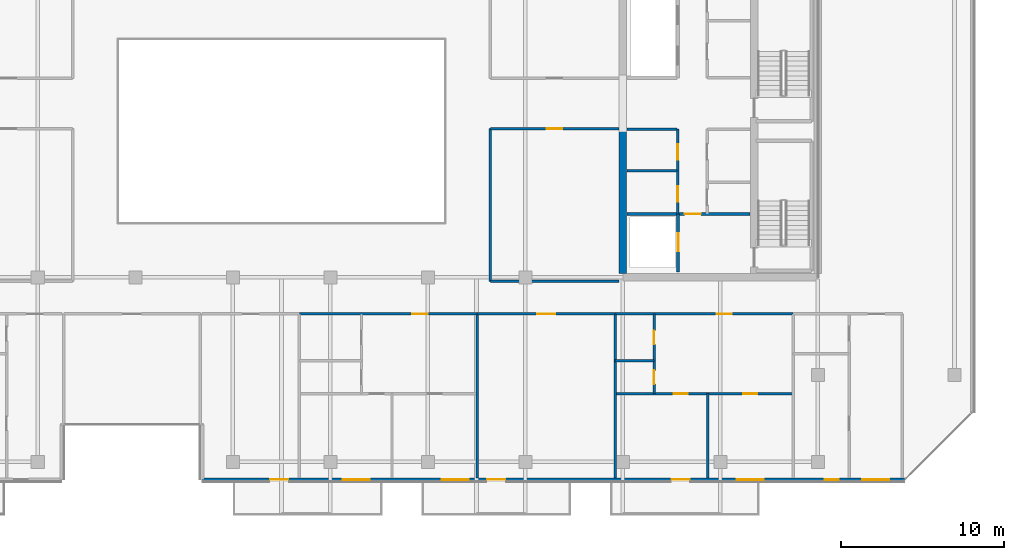
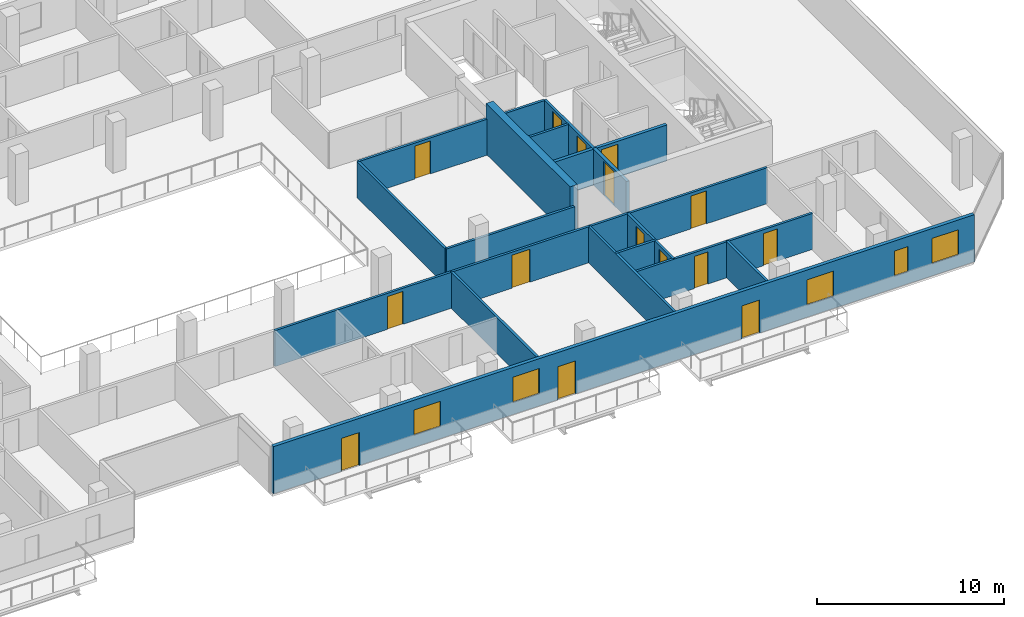
# One storey, part 20 of 28: 19 walls, 15 doors, 5 windows, 20 openings.
"""IFC4 building model written with IfcOpenShell, lengths in metres."""

from ifc_helpers import new_model, si_unit, direction, frame, frame_2d, origin, place, context, subcontext, project, spatial, rectangle, extrude, material, layer, layer_set, type_object, element, fill, save


model = new_model("IFC4")

# Units and contexts
model_context = context("Model", 3, precision=1e-05, world=origin(), true_north=direction((0.0, 1.0)))
body_context = subcontext(model_context, "Body", "Model", "MODEL_VIEW")
ifc_project = project(units=[si_unit("LENGTHUNIT", "METRE"), si_unit("AREAUNIT", "SQUARE_METRE"), si_unit("VOLUMEUNIT", "CUBIC_METRE"), si_unit("PLANEANGLEUNIT", "RADIAN"), si_unit("MASSUNIT", "GRAM", prefix="KILO")], contexts=[model_context])

# Site, building, storey
site_placement = place(None, origin())
site = spatial("IfcSite", under=ifc_project, at=site_placement, CompositionType="ELEMENT")
building_placement = place(site_placement, origin())
building = spatial("IfcBuilding", under=site, at=building_placement, Name="Tanjung Sevakor Pilgrim Tower", CompositionType="ELEMENT")
storey_placement = place(building_placement, frame((0.0, 0.0, 185.1298828125)))
storey = spatial("IfcBuildingStorey", under=building, at=storey_placement, Name="L51", CompositionType="ELEMENT", Elevation=185.1298828125)

# Walls
ifc_material_1 = material(Name="Concrete C60/75", Category="concrete")
ifc_layer_1 = layer(ifc_material_1, 0.449951171875)
ifc_layer_set_1 = layer_set([ifc_layer_1], Name="WALL-CW-450")
wall_type_1 = type_object("IfcWallType", Name="WALL-CW-450", PredefinedType="SHEAR", material=ifc_layer_set_1)
wall_1_placement = place(storey_placement, frame((78.0, 24.824951171875, 0.0), z_axis=(0.0, 0.0, 1.0), x_axis=(0.0, 1.0, 0.0)))
element("IfcWall", 1, at=wall_1_placement, inside=storey, type_object=wall_type_1, Name="L51 E Core Inner Shear Wall South", PredefinedType="SHEAR", context=body_context, shape_type="SweptSolid", body=[
    extrude(rectangle(XDim=8.97509765625, YDim=0.449951171875, at=frame_2d((4.487548828125, 0.0))), origin(), (0.0, 0.0, 1.0), 3.300048828125),
])
ifc_material_2 = material(Name="Concrete C40/50", Category="concrete")
ifc_layer_2 = layer(ifc_material_2, 0.14990234375)
ifc_layer_set_2 = layer_set([ifc_layer_2], Name="WT-COMP-150")
wall_type_2 = type_object("IfcWallType", Name="WT-COMP-150", PredefinedType="SOLIDWALL", material=ifc_layer_set_2)
for number, where, z_axis, x_axis, name in (
    (2, (78.2451171875, 31.14990234375, 0.0), (0.0, 0.0, 1.0), (1.0, 0.0, 0.0), "L51 Partition IW-L51-019"),
    (3, (78.2451171875, 33.719970703125, 0.0), (0.0, 0.0, 1.0), (1.0, 0.0, 0.0), "L51 Partition IW-L51-020"),
):
    element("IfcWall", number, at=place(storey_placement, frame(where, z_axis=z_axis, x_axis=x_axis)), inside=storey, type_object=wall_type_2, Name=name, PredefinedType="SOLIDWALL", context=body_context, shape_type="SweptSolid", body=[
        extrude(rectangle(XDim=3.074951171875, YDim=0.14990234375, at=frame_2d((1.53759765625, 0.0))), origin(), (0.0, 0.0, 1.0), 2.35009765625),
    ])

# Wall, openings, doors
wall_2_placement = place(storey_placement, frame((81.3798828125, 28.5, 0.0), z_axis=(0.0, 0.0, 1.0), x_axis=(0.0, 1.0, 0.0)))
wall_2 = element("IfcWall", 4, at=wall_2_placement, inside=storey, type_object=wall_type_2, Name="L51 Partition IW-L51-021", PredefinedType="SOLIDWALL", context=body_context, shape_type="SweptSolid", body=[
    extrude(rectangle(XDim=5.219970703125, YDim=0.14990234375, at=frame_2d((2.60986328125, 0.0))), origin(), (0.0, 0.0, 1.0), 2.35009765625),
])
opening_1_placement = place(wall_2_placement, frame((0.75, 0.0, 0.0)))
opening_1 = element("IfcOpeningElement", 5, at=opening_1_placement, cuts=wall_2, Name="Opening ID-FD2", PredefinedType="OPENING", context=body_context, shape_type="SweptSolid", body=[
    extrude(rectangle(XDim=0.949951171875, YDim=2.14990234375, at=frame_2d((0.47509765625, 1.074951171875))), frame((0.0, 0.0849609375, 0.0), z_axis=(0.0, -1.0, 0.0), x_axis=(1.0, 0.0, 0.0)), (0.0, 0.0, 1.0), 0.169921875),
])
opening_2_placement = place(wall_2_placement, frame((3.35009765625, 0.0, 0.0)))
opening_2 = element("IfcOpeningElement", 6, at=opening_2_placement, cuts=wall_2, Name="Opening ID-FD2", PredefinedType="OPENING", context=body_context, shape_type="SweptSolid", body=[
    extrude(rectangle(XDim=0.949951171875, YDim=2.14990234375, at=frame_2d((0.47509765625, 1.074951171875))), frame((0.0, 0.0849609375, 0.0), z_axis=(0.0, -1.0, 0.0), x_axis=(1.0, 0.0, 0.0)), (0.0, 0.0, 1.0), 0.169921875),
])
ifc_material_3 = material(Name="Fire-Rated Timber", Category="wood")
door_type_1 = type_object("IfcDoorType", Name="DT-FIRE-950", OperationType="NOTDEFINED", PredefinedType="DOOR", material=ifc_material_3)
door_1_placement = place(opening_1_placement, origin())
door_1 = element("IfcDoor", 7, at=door_1_placement, inside=storey, type_object=door_type_1, Name="L51 Accessible WC Door", OperationType="SINGLE_SWING_RIGHT", OverallHeight=2.14990234375, OverallWidth=0.949951171875, PredefinedType="DOOR", context=body_context, shape_type="SweptSolid", body=[
    extrude(rectangle(XDim=0.949951171875, YDim=2.14990234375, at=frame_2d((0.47509765625, 1.074951171875))), frame((0.0, 0.02490234375, 0.0), z_axis=(0.0, -1.0, 0.0), x_axis=(1.0, 0.0, 0.0)), (0.0, 0.0, 1.0), 0.050048828125),
])
fill(opening_1, door_1)
door_2_placement = place(opening_2_placement, origin())
door_2 = element("IfcDoor", 8, at=door_2_placement, inside=storey, type_object=door_type_1, Name="L51 Core Service Door", OperationType="SINGLE_SWING_LEFT", OverallHeight=2.14990234375, OverallWidth=0.949951171875, PredefinedType="DOOR", context=body_context, shape_type="SweptSolid", body=[
    extrude(rectangle(XDim=0.949951171875, YDim=2.14990234375, at=frame_2d((0.47509765625, 1.074951171875))), frame((0.0, 0.02490234375, 0.0), z_axis=(0.0, -1.0, 0.0), x_axis=(1.0, 0.0, 0.0)), (0.0, 0.0, 1.0), 0.050048828125),
])
fill(opening_2, door_2)

# Wall
wall_3_placement = place(storey_placement, frame((69.85009765625, 24.35009765625, 0.0), z_axis=(0.0, 0.0, 1.0), x_axis=(1.0, 0.0, 0.0)))
element("IfcWall", 9, at=wall_3_placement, inside=storey, type_object=wall_type_2, Name="L51 Partition IW-L51-033", PredefinedType="SOLIDWALL", context=body_context, shape_type="SweptSolid", body=[
    extrude(rectangle(XDim=7.90478515625, YDim=0.14990234375, at=frame_2d((3.952392578125, 0.0))), origin(), (0.0, 0.0, 1.0), 2.35009765625),
])

# Wall, opening, door
wall_4_placement = place(storey_placement, frame((69.85009765625, 33.75, 0.0), z_axis=(0.0, 0.0, 1.0), x_axis=(1.0, 0.0, 0.0)))
wall_4 = element("IfcWall", 10, at=wall_4_placement, inside=storey, type_object=wall_type_2, Name="L51 Partition IW-L51-034", PredefinedType="SOLIDWALL", context=body_context, shape_type="SweptSolid", body=[
    extrude(rectangle(XDim=7.90478515625, YDim=0.14990234375, at=frame_2d((3.952392578125, 0.0))), origin(), (0.0, 0.0, 1.0), 2.35009765625),
])
opening_3_placement = place(wall_4_placement, frame((3.4775390625, 0.0, 0.0)))
opening_3 = element("IfcOpeningElement", 11, at=opening_3_placement, cuts=wall_4, Name="Opening ID-RM1", PredefinedType="OPENING", context=body_context, shape_type="SweptSolid", body=[
    extrude(rectangle(XDim=0.949951171875, YDim=2.14990234375, at=frame_2d((0.47509765625, 1.074951171875))), frame((0.0, 0.0849609375, 0.0), z_axis=(0.0, -1.0, 0.0), x_axis=(1.0, 0.0, 0.0)), (0.0, 0.0, 1.0), 0.169921875),
])
ifc_material_4 = material(Name="Hardwood Timber", Category="wood")
door_type_2 = type_object("IfcDoorType", Name="DT-INT-950", OperationType="NOTDEFINED", PredefinedType="DOOR", material=ifc_material_4)
door_3_placement = place(opening_3_placement, origin())
door_3 = element("IfcDoor", 12, at=door_3_placement, inside=storey, type_object=door_type_2, Name="L51 East Inboard South Door", OperationType="SINGLE_SWING_RIGHT", OverallHeight=2.14990234375, OverallWidth=0.949951171875, PredefinedType="DOOR", context=body_context, shape_type="SweptSolid", body=[
    extrude(rectangle(XDim=0.949951171875, YDim=2.14990234375, at=frame_2d((0.47509765625, 1.074951171875))), frame((0.0, 0.02490234375, 0.0), z_axis=(0.0, -1.0, 0.0), x_axis=(1.0, 0.0, 0.0)), (0.0, 0.0, 1.0), 0.050048828125),
])
fill(opening_3, door_3)

# Walls
wall_5_placement = place(storey_placement, frame((69.85009765625, 24.35009765625, 0.0), z_axis=(0.0, 0.0, 1.0), x_axis=(0.0, 1.0, 0.0)))
element("IfcWall", 13, at=wall_5_placement, inside=storey, type_object=wall_type_2, Name="L51 Partition IW-L51-035", PredefinedType="SOLIDWALL", context=body_context, shape_type="SweptSolid", body=[
    extrude(rectangle(XDim=9.39990234375, YDim=0.14990234375, at=frame_2d((4.699951171875, 0.0))), origin(), (0.0, 0.0, 1.0), 2.35009765625),
])
wall_6_placement = place(storey_placement, frame((69.05322265625, 12.27001953125, 0.0), z_axis=(0.0, 0.0, 1.0), x_axis=(0.0, 1.0, 0.0)))
element("IfcWall", 14, at=wall_6_placement, inside=storey, type_object=wall_type_2, Name="L51 Partition IW-L51-060", PredefinedType="SOLIDWALL", context=body_context, shape_type="SweptSolid", body=[
    extrude(rectangle(XDim=10.080078125, YDim=0.14990234375, at=frame_2d((5.0400390625, 0.0))), origin(), (0.0, 0.0, 1.0), 2.35009765625),
])

# Wall, opening, door
wall_7_placement = place(storey_placement, frame((58.096435546875, 22.35009765625, 0.0), z_axis=(0.0, 0.0, 1.0), x_axis=(1.0, 0.0, 0.0)))
wall_7 = element("IfcWall", 15, at=wall_7_placement, inside=storey, type_object=wall_type_2, Name="L51 Partition IW-L51-065", PredefinedType="SOLIDWALL", context=body_context, shape_type="SweptSolid", body=[
    extrude(rectangle(XDim=10.956787109375, YDim=0.14990234375, at=frame_2d((5.478515625, 0.0))), origin(), (0.0, 0.0, 1.0), 2.35009765625),
])
opening_4_placement = place(wall_7_placement, frame((6.955078125, 0.0, 0.0)))
opening_4 = element("IfcOpeningElement", 16, at=opening_4_placement, cuts=wall_7, Name="Opening ID-FD2", PredefinedType="OPENING", context=body_context, shape_type="SweptSolid", body=[
    extrude(rectangle(XDim=0.949951171875, YDim=2.14990234375, at=frame_2d((0.47509765625, 1.074951171875))), frame((0.0, 0.0849609375, 0.0), z_axis=(0.0, -1.0, 0.0), x_axis=(1.0, 0.0, 0.0)), (0.0, 0.0, 1.0), 0.169921875),
])
door_4_placement = place(opening_4_placement, origin())
door_4 = element("IfcDoor", 17, at=door_4_placement, inside=storey, type_object=door_type_1, Name="Suite Entrance", OperationType="SINGLE_SWING_RIGHT", OverallHeight=2.14990234375, OverallWidth=0.949951171875, PredefinedType="DOOR", context=body_context, shape_type="SweptSolid", body=[
    extrude(rectangle(XDim=0.949951171875, YDim=2.14990234375, at=frame_2d((0.47509765625, 1.074951171875))), frame((0.0, 0.02490234375, 0.0), z_axis=(0.0, -1.0, 0.0), x_axis=(1.0, 0.0, 0.0)), (0.0, 0.0, 1.0), 0.050048828125),
])
fill(opening_4, door_4)

# Wall
wall_8_placement = place(storey_placement, frame((77.519775390625, 12.27001953125, 0.0), z_axis=(0.0, 0.0, 1.0), x_axis=(0.0, 1.0, 0.0)))
element("IfcWall", 18, at=wall_8_placement, inside=storey, type_object=wall_type_2, Name="L51 Partition IW-L51-066", PredefinedType="SOLIDWALL", context=body_context, shape_type="SweptSolid", body=[
    extrude(rectangle(XDim=10.080078125, YDim=0.14990234375, at=frame_2d((5.0400390625, 0.0))), origin(), (0.0, 0.0, 1.0), 2.35009765625),
])

# Wall, opening, door
wall_9_placement = place(storey_placement, frame((69.05322265625, 22.35009765625, 0.0), z_axis=(0.0, 0.0, 1.0), x_axis=(1.0, 0.0, 0.0)))
wall_9 = element("IfcWall", 19, at=wall_9_placement, inside=storey, type_object=wall_type_2, Name="L51 Partition IW-L51-067", PredefinedType="SOLIDWALL", context=body_context, shape_type="SweptSolid", body=[
    extrude(rectangle(XDim=8.466552734375, YDim=0.14990234375, at=frame_2d((4.2333984375, 0.0))), origin(), (0.0, 0.0, 1.0), 2.35009765625),
])
opening_5_placement = place(wall_9_placement, frame((3.683349609375, 0.0, 0.0)))
opening_5 = element("IfcOpeningElement", 20, at=opening_5_placement, cuts=wall_9, Name="Opening ID-FD0", PredefinedType="OPENING", context=body_context, shape_type="SweptSolid", body=[
    extrude(rectangle(XDim=1.10009765625, YDim=2.14990234375, at=frame_2d((0.550048828125, 1.074951171875))), frame((0.0, 0.0849609375, 0.0), z_axis=(0.0, -1.0, 0.0), x_axis=(1.0, 0.0, 0.0)), (0.0, 0.0, 1.0), 0.169921875),
])
ifc_material_5 = material(Name="Fire-Rated Steel S355J2", Category="steel")
door_type_3 = type_object("IfcDoorType", Name="DT-FIRE-1100", OperationType="NOTDEFINED", PredefinedType="DOOR", material=ifc_material_5)
door_5_placement = place(opening_5_placement, origin())
door_5 = element("IfcDoor", 21, at=door_5_placement, inside=storey, type_object=door_type_3, Name="Communal Lounge Door", OperationType="SINGLE_SWING_LEFT", OverallHeight=2.14990234375, OverallWidth=1.10009765625, PredefinedType="DOOR", context=body_context, shape_type="SweptSolid", body=[
    extrude(rectangle(XDim=1.10009765625, YDim=2.14990234375, at=frame_2d((0.550048828125, 1.074951171875))), frame((0.0, 0.02490234375, 0.0), z_axis=(0.0, -1.0, 0.0), x_axis=(1.0, 0.0, 0.0)), (0.0, 0.0, 1.0), 0.050048828125),
])
fill(opening_5, door_5)

wall_10_placement = place(storey_placement, frame((77.519775390625, 22.35009765625, 0.0), z_axis=(0.0, 0.0, 1.0), x_axis=(1.0, 0.0, 0.0)))
wall_10 = element("IfcWall", 22, at=wall_10_placement, inside=storey, type_object=wall_type_2, Name="L51 Partition IW-L51-073", PredefinedType="SOLIDWALL", context=body_context, shape_type="SweptSolid", body=[
    extrude(rectangle(XDim=10.956787109375, YDim=0.14990234375, at=frame_2d((5.478515625, 0.0))), origin(), (0.0, 0.0, 1.0), 2.35009765625),
])
opening_6_placement = place(wall_10_placement, frame((6.243408203125, 0.0, 0.0)))
opening_6 = element("IfcOpeningElement", 23, at=opening_6_placement, cuts=wall_10, Name="Opening ID-FD2", PredefinedType="OPENING", context=body_context, shape_type="SweptSolid", body=[
    extrude(rectangle(XDim=0.949951171875, YDim=2.14990234375, at=frame_2d((0.47509765625, 1.074951171875))), frame((0.0, 0.0849609375, 0.0), z_axis=(0.0, -1.0, 0.0), x_axis=(1.0, 0.0, 0.0)), (0.0, 0.0, 1.0), 0.169921875),
])
door_6_placement = place(opening_6_placement, origin())
door_6 = element("IfcDoor", 24, at=door_6_placement, inside=storey, type_object=door_type_1, Name="Suite Entrance", OperationType="SINGLE_SWING_RIGHT", OverallHeight=2.14990234375, OverallWidth=0.949951171875, PredefinedType="DOOR", context=body_context, shape_type="SweptSolid", body=[
    extrude(rectangle(XDim=0.949951171875, YDim=2.14990234375, at=frame_2d((0.47509765625, 1.074951171875))), frame((0.0, 0.02490234375, 0.0), z_axis=(0.0, -1.0, 0.0), x_axis=(1.0, 0.0, 0.0)), (0.0, 0.0, 1.0), 0.050048828125),
])
fill(opening_6, door_6)

# Wall, openings, doors, windows
ifc_material_6 = material(Name="Precast concrete C45/55", Category="concrete")
ifc_layer_3 = layer(ifc_material_6, 0.219970703125)
ifc_layer_set_3 = layer_set([ifc_layer_3], Name="WT-EW-STN4")
wall_type_3 = type_object("IfcWallType", Name="WT-EW-STN4", PredefinedType="SOLIDWALL", material=ifc_layer_set_3)
wall_11_placement = place(storey_placement, frame((52.110107421875, 12.159912109375, 0.0), z_axis=(0.0, 0.0, 1.0), x_axis=(1.0, 0.0, 0.0)))
wall_11 = element("IfcWall", 25, at=wall_11_placement, inside=storey, type_object=wall_type_3, Name="L51 MAIN Exterior Wall 5", PredefinedType="SOLIDWALL", context=body_context, shape_type="SweptSolid", body=[
    extrude(rectangle(XDim=43.244384765625, YDim=0.219970703125, at=frame_2d((21.6220703125, 0.0))), origin(), (0.0, 0.0, 1.0), 3.080078125),
])
opening_7_placement = place(wall_11_placement, frame((4.18994140625, 0.0, 0.0)))
opening_7 = element("IfcOpeningElement", 26, at=opening_7_placement, cuts=wall_11, Name="Opening ED-BAL-1100", PredefinedType="OPENING", context=body_context, shape_type="SweptSolid", body=[
    extrude(rectangle(XDim=1.10009765625, YDim=2.14990234375, at=frame_2d((0.550048828125, 1.074951171875))), frame((0.0, 0.119873046875, 0.0), z_axis=(0.0, -1.0, 0.0), x_axis=(1.0, 0.0, 0.0)), (0.0, 0.0, 1.0), 0.239990234375),
])
opening_8_placement = place(wall_11_placement, frame((17.5400390625, 0.0, 0.0)))
opening_8 = element("IfcOpeningElement", 27, at=opening_8_placement, cuts=wall_11, Name="Opening ED-BAL-1100", PredefinedType="OPENING", context=body_context, shape_type="SweptSolid", body=[
    extrude(rectangle(XDim=1.10009765625, YDim=2.14990234375, at=frame_2d((0.550048828125, 1.074951171875))), frame((0.0, 0.119873046875, 0.0), z_axis=(0.0, -1.0, 0.0), x_axis=(1.0, 0.0, 0.0)), (0.0, 0.0, 1.0), 0.239990234375),
])
opening_9_placement = place(wall_11_placement, frame((28.889892578125, 0.0, 0.0)))
opening_9 = element("IfcOpeningElement", 28, at=opening_9_placement, cuts=wall_11, Name="Opening ED-BAL-1100", PredefinedType="OPENING", context=body_context, shape_type="SweptSolid", body=[
    extrude(rectangle(XDim=1.10009765625, YDim=2.14990234375, at=frame_2d((0.550048828125, 1.074951171875))), frame((0.0, 0.119873046875, 0.0), z_axis=(0.0, -1.0, 0.0), x_axis=(1.0, 0.0, 0.0)), (0.0, 0.0, 1.0), 0.239990234375),
])
opening_10_placement = place(wall_11_placement, frame((8.66015625, 0.0, 0.780029296875)))
opening_10 = element("IfcOpeningElement", 29, at=opening_10_placement, cuts=wall_11, Name="Opening WN-Z4-1660", PredefinedType="OPENING", context=body_context, shape_type="SweptSolid", body=[
    extrude(rectangle(XDim=1.64990234375, YDim=1.659912109375, at=frame_2d((0.824951171875, 0.830078125))), frame((0.0, 0.119873046875, 0.0), z_axis=(0.0, -1.0, 0.0), x_axis=(1.0, 0.0, 0.0)), (0.0, 0.0, 1.0), 0.239990234375),
])
opening_11_placement = place(wall_11_placement, frame((14.758544921875, 0.0, 0.780029296875)))
opening_11 = element("IfcOpeningElement", 30, at=opening_11_placement, cuts=wall_11, Name="Opening WN-Z4-1660", PredefinedType="OPENING", context=body_context, shape_type="SweptSolid", body=[
    extrude(rectangle(XDim=1.64990234375, YDim=1.659912109375, at=frame_2d((0.824951171875, 0.830078125))), frame((0.0, 0.119873046875, 0.0), z_axis=(0.0, -1.0, 0.0), x_axis=(1.0, 0.0, 0.0)), (0.0, 0.0, 1.0), 0.239990234375),
])
opening_12_placement = place(wall_11_placement, frame((32.90185546875, 0.0, 0.780029296875)))
opening_12 = element("IfcOpeningElement", 31, at=opening_12_placement, cuts=wall_11, Name="Opening WN-Z4-1660", PredefinedType="OPENING", context=body_context, shape_type="SweptSolid", body=[
    extrude(rectangle(XDim=1.64990234375, YDim=1.659912109375, at=frame_2d((0.824951171875, 0.830078125))), frame((0.0, 0.119873046875, 0.0), z_axis=(0.0, -1.0, 0.0), x_axis=(1.0, 0.0, 0.0)), (0.0, 0.0, 1.0), 0.239990234375),
])
opening_13_placement = place(wall_11_placement, frame((38.313232421875, 0.0, 0.780029296875)))
opening_13 = element("IfcOpeningElement", 32, at=opening_13_placement, cuts=wall_11, Name="Opening WN-SLM", PredefinedType="OPENING", context=body_context, shape_type="SweptSolid", body=[
    extrude(rectangle(XDim=0.85009765625, YDim=1.64990234375, at=frame_2d((0.425048828125, 0.824951171875))), frame((0.0, 0.119873046875, 0.0), z_axis=(0.0, -1.0, 0.0), x_axis=(1.0, 0.0, 0.0)), (0.0, 0.0, 1.0), 0.239990234375),
])
opening_14_placement = place(wall_11_placement, frame((40.614990234375, 0.0, 0.780029296875)))
opening_14 = element("IfcOpeningElement", 33, at=opening_14_placement, cuts=wall_11, Name="Opening WN-Z4-1660", PredefinedType="OPENING", context=body_context, shape_type="SweptSolid", body=[
    extrude(rectangle(XDim=1.64990234375, YDim=1.659912109375, at=frame_2d((0.824951171875, 0.830078125))), frame((0.0, 0.119873046875, 0.0), z_axis=(0.0, -1.0, 0.0), x_axis=(1.0, 0.0, 0.0)), (0.0, 0.0, 1.0), 0.239990234375),
])
ifc_material_7 = material(Name="Anodised Aluminium and Laminated Glass", Category="aluminium")
door_type_4 = type_object("IfcDoorType", Name="DTYP-ED-BAL-1100", OperationType="NOTDEFINED", PredefinedType="DOOR", material=ifc_material_7)
door_7_placement = place(opening_7_placement, frame((1.10009765625, 0.0, 0.0), z_axis=(0.0, 0.0, 1.0), x_axis=(-1.0, 0.0, 0.0)))
door_7 = element("IfcDoor", 34, at=door_7_placement, inside=storey, type_object=door_type_4, Name="L51 Balcony Door MAIN-S2", OperationType="SINGLE_SWING_RIGHT", OverallHeight=2.14990234375, OverallWidth=1.10009765625, PredefinedType="DOOR", context=body_context, shape_type="SweptSolid", body=[
    extrude(rectangle(XDim=1.10009765625, YDim=2.14990234375, at=frame_2d((0.550048828125, 1.074951171875))), frame((0.0, 0.02490234375, 0.0), z_axis=(0.0, -1.0, 0.0), x_axis=(1.0, 0.0, 0.0)), (0.0, 0.0, 1.0), 0.050048828125),
])
fill(opening_7, door_7)
door_8_placement = place(opening_8_placement, frame((1.10009765625, 0.0, 0.0), z_axis=(0.0, 0.0, 1.0), x_axis=(-1.0, 0.0, 0.0)))
door_8 = element("IfcDoor", 35, at=door_8_placement, inside=storey, type_object=door_type_4, Name="L51 Balcony Door MAIN-S3", OperationType="SINGLE_SWING_LEFT", OverallHeight=2.14990234375, OverallWidth=1.10009765625, PredefinedType="DOOR", context=body_context, shape_type="SweptSolid", body=[
    extrude(rectangle(XDim=1.10009765625, YDim=2.14990234375, at=frame_2d((0.550048828125, 1.074951171875))), frame((0.0, 0.02490234375, 0.0), z_axis=(0.0, -1.0, 0.0), x_axis=(1.0, 0.0, 0.0)), (0.0, 0.0, 1.0), 0.050048828125),
])
fill(opening_8, door_8)
door_9_placement = place(opening_9_placement, frame((1.10009765625, 0.0, 0.0), z_axis=(0.0, 0.0, 1.0), x_axis=(-1.0, 0.0, 0.0)))
door_9 = element("IfcDoor", 36, at=door_9_placement, inside=storey, type_object=door_type_4, Name="L51 Balcony Door MAIN-S4", OperationType="SINGLE_SWING_RIGHT", OverallHeight=2.14990234375, OverallWidth=1.10009765625, PredefinedType="DOOR", context=body_context, shape_type="SweptSolid", body=[
    extrude(rectangle(XDim=1.10009765625, YDim=2.14990234375, at=frame_2d((0.550048828125, 1.074951171875))), frame((0.0, 0.02490234375, 0.0), z_axis=(0.0, -1.0, 0.0), x_axis=(1.0, 0.0, 0.0)), (0.0, 0.0, 1.0), 0.050048828125),
])
fill(opening_9, door_9)
ifc_material_8 = material(Name="Thermally Broken Aluminium and Low-E Glass", Category="aluminium")
window_type_1 = type_object("IfcWindowType", Name="WTYP-WN-SLM", PartitioningType="SINGLE_PANEL", PredefinedType="WINDOW", material=ifc_material_8)
window_1_placement = place(opening_13_placement, origin())
window_1 = element("IfcWindow", 37, at=window_1_placement, inside=storey, type_object=window_type_1, Name="L51 Facade Window 04", OverallHeight=1.64990234375, OverallWidth=0.85009765625, PartitioningType="SINGLE_PANEL", PredefinedType="WINDOW", context=body_context, shape_type="SweptSolid", body=[
    extrude(rectangle(XDim=0.85009765625, YDim=1.64990234375, at=frame_2d((0.425048828125, 0.824951171875))), frame((0.0, 0.030029296875, 0.0), z_axis=(0.0, -1.0, 0.0), x_axis=(1.0, 0.0, 0.0)), (0.0, 0.0, 1.0), 0.06005859375),
])
fill(opening_13, window_1)
ifc_material_9 = material(Name="Thermally Broken Aluminium and Low-E Glass", Category="aluminium")
window_type_2 = type_object("IfcWindowType", Name="WTYP-WN-Z4-1660", PartitioningType="DOUBLE_PANEL_VERTICAL", PredefinedType="WINDOW", material=ifc_material_9)
window_2_placement = place(opening_10_placement, origin())
window_2 = element("IfcWindow", 38, at=window_2_placement, inside=storey, type_object=window_type_2, Name="L51 Facade Window 01", OverallHeight=1.659912109375, OverallWidth=1.64990234375, PartitioningType="SINGLE_PANEL", PredefinedType="WINDOW", context=body_context, shape_type="SweptSolid", body=[
    extrude(rectangle(XDim=1.64990234375, YDim=1.659912109375, at=frame_2d((0.824951171875, 0.830078125))), frame((0.0, 0.030029296875, 0.0), z_axis=(0.0, -1.0, 0.0), x_axis=(1.0, 0.0, 0.0)), (0.0, 0.0, 1.0), 0.06005859375),
])
fill(opening_10, window_2)
window_3_placement = place(opening_11_placement, origin())
window_3 = element("IfcWindow", 39, at=window_3_placement, inside=storey, type_object=window_type_2, Name="L51 Facade Window 02", OverallHeight=1.659912109375, OverallWidth=1.64990234375, PartitioningType="SINGLE_PANEL", PredefinedType="WINDOW", context=body_context, shape_type="SweptSolid", body=[
    extrude(rectangle(XDim=1.64990234375, YDim=1.659912109375, at=frame_2d((0.824951171875, 0.830078125))), frame((0.0, 0.030029296875, 0.0), z_axis=(0.0, -1.0, 0.0), x_axis=(1.0, 0.0, 0.0)), (0.0, 0.0, 1.0), 0.06005859375),
])
fill(opening_11, window_3)
window_4_placement = place(opening_12_placement, origin())
window_4 = element("IfcWindow", 40, at=window_4_placement, inside=storey, type_object=window_type_2, Name="L51 Facade Window 03", OverallHeight=1.659912109375, OverallWidth=1.64990234375, PartitioningType="SINGLE_PANEL", PredefinedType="WINDOW", context=body_context, shape_type="SweptSolid", body=[
    extrude(rectangle(XDim=1.64990234375, YDim=1.659912109375, at=frame_2d((0.824951171875, 0.830078125))), frame((0.0, 0.030029296875, 0.0), z_axis=(0.0, -1.0, 0.0), x_axis=(1.0, 0.0, 0.0)), (0.0, 0.0, 1.0), 0.06005859375),
])
fill(opening_12, window_4)
window_5_placement = place(opening_14_placement, origin())
window_5 = element("IfcWindow", 41, at=window_5_placement, inside=storey, type_object=window_type_2, Name="L51 Facade Window 05", OverallHeight=1.659912109375, OverallWidth=1.64990234375, PartitioningType="SINGLE_PANEL", PredefinedType="WINDOW", context=body_context, shape_type="SweptSolid", body=[
    extrude(rectangle(XDim=1.64990234375, YDim=1.659912109375, at=frame_2d((0.824951171875, 0.830078125))), frame((0.0, 0.030029296875, 0.0), z_axis=(0.0, -1.0, 0.0), x_axis=(1.0, 0.0, 0.0)), (0.0, 0.0, 1.0), 0.06005859375),
])
fill(opening_14, window_5)

# Wall, opening, door
ifc_material_10 = material(Name="Concrete C40/50", Category="concrete")
ifc_layer_4 = layer(ifc_material_10, 0.199951171875)
ifc_layer_set_4 = layer_set([ifc_layer_4], Name="WT-FPRT-200")
wall_type_4 = type_object("IfcWallType", Name="WT-FPRT-200", PredefinedType="SOLIDWALL", material=ifc_layer_set_4)
wall_12_placement = place(storey_placement, frame((81.39990234375, 24.919921875, 0.0), z_axis=(0.0, 0.0, 1.0), x_axis=(0.0, 1.0, 0.0)))
wall_12 = element("IfcWall", 42, at=wall_12_placement, inside=storey, type_object=wall_type_4, Name="L51 Partition IW-L51-014", PredefinedType="SOLIDWALL", context=body_context, shape_type="SweptSolid", body=[
    extrude(rectangle(XDim=3.580078125, YDim=0.199951171875, at=frame_2d((1.7900390625, 0.0))), origin(), (0.0, 0.0, 1.0), 2.35009765625),
])
opening_15_placement = place(wall_12_placement, frame((1.300048828125, 0.0, 0.0)))
opening_15 = element("IfcOpeningElement", 43, at=opening_15_placement, cuts=wall_12, Name="Opening LD-1100", PredefinedType="OPENING", context=body_context, shape_type="SweptSolid", body=[
    extrude(rectangle(XDim=1.10009765625, YDim=2.199951171875, at=frame_2d((0.550048828125, 1.10009765625))), frame((0.0, 0.10986328125, 0.0), z_axis=(0.0, -1.0, 0.0), x_axis=(1.0, 0.0, 0.0)), (0.0, 0.0, 1.0), 0.219970703125),
])
ifc_material_11 = material(Name="Brushed Stainless Steel S355J2", Category="steel")
door_type_5 = type_object("IfcDoorType", Name="DT-LIFT-1100", OperationType="SLIDING_TO_LEFT", PredefinedType="DOOR", material=ifc_material_11)
door_10_placement = place(opening_15_placement, origin())
door_10 = element("IfcDoor", 44, at=door_10_placement, inside=storey, type_object=door_type_5, Name="LD-FL-E", OperationType="SLIDING_TO_LEFT", OverallHeight=2.199951171875, OverallWidth=1.10009765625, PredefinedType="DOOR", context=body_context, shape_type="SweptSolid", body=[
    extrude(rectangle(XDim=1.10009765625, YDim=2.199951171875, at=frame_2d((0.550048828125, 1.10009765625))), frame((0.0, 0.02490234375, 0.0), z_axis=(0.0, -1.0, 0.0), x_axis=(1.0, 0.0, 0.0)), (0.0, 0.0, 1.0), 0.050048828125),
])
fill(opening_15, door_10)

wall_13_placement = place(storey_placement, frame((78.2451171875, 28.5, 0.0), z_axis=(0.0, 0.0, 1.0), x_axis=(1.0, 0.0, 0.0)))
wall_13 = element("IfcWall", 45, at=wall_13_placement, inside=storey, type_object=wall_type_4, Name="L51 Partition IW-L51-015", PredefinedType="SOLIDWALL", context=body_context, shape_type="SweptSolid", body=[
    extrude(rectangle(XDim=7.5849609375, YDim=0.199951171875, at=frame_2d((3.79248046875, 0.0))), origin(), (0.0, 0.0, 1.0), 2.35009765625),
])
opening_16_placement = place(wall_13_placement, frame((3.554931640625, 0.0, 0.0)))
opening_16 = element("IfcOpeningElement", 46, at=opening_16_placement, cuts=wall_13, Name="Opening ID-FD1", PredefinedType="OPENING", context=body_context, shape_type="SweptSolid", body=[
    extrude(rectangle(XDim=1.0, YDim=2.14990234375, at=frame_2d((0.5, 1.074951171875))), frame((0.0, 0.10986328125, 0.0), z_axis=(0.0, -1.0, 0.0), x_axis=(1.0, 0.0, 0.0)), (0.0, 0.0, 1.0), 0.219970703125),
])
ifc_material_12 = material(Name="Fire-Rated Steel S355J2", Category="steel")
door_type_6 = type_object("IfcDoorType", Name="DT-FIRE-1000", OperationType="NOTDEFINED", PredefinedType="DOOR", material=ifc_material_12)
door_11_placement = place(opening_16_placement, origin())
door_11 = element("IfcDoor", 47, at=door_11_placement, inside=storey, type_object=door_type_6, Name="Fire Lobby Door E", OperationType="SINGLE_SWING_LEFT", OverallHeight=2.14990234375, OverallWidth=1.0, PredefinedType="DOOR", context=body_context, shape_type="SweptSolid", body=[
    extrude(rectangle(XDim=1.0, YDim=2.14990234375, at=frame_2d((0.5, 1.074951171875))), frame((0.0, 0.02490234375, 0.0), z_axis=(0.0, -1.0, 0.0), x_axis=(1.0, 0.0, 0.0)), (0.0, 0.0, 1.0), 0.050048828125),
])
fill(opening_16, door_11)

# Wall
ifc_material_13 = material(Name="Gypsum Board Partition", Category="gypsum board")
ifc_layer_5 = layer(ifc_material_13, 0.14990234375)
ifc_layer_set_5 = layer_set([ifc_layer_5], Name="WT-PART-150")
wall_type_5 = type_object("IfcWallType", Name="WT-PART-150", PredefinedType="PARTITIONING", material=ifc_layer_set_5)
wall_14_placement = place(storey_placement, frame((77.519775390625, 19.45751953125, 0.0), z_axis=(0.0, 0.0, 1.0), x_axis=(1.0, 0.0, 0.0)))
element("IfcWall", 48, at=wall_14_placement, inside=storey, type_object=wall_type_5, Name="L51 Partition IW-L51-069", PredefinedType="PARTITIONING", context=body_context, shape_type="SweptSolid", body=[
    extrude(rectangle(XDim=2.400146484375, YDim=0.14990234375, at=frame_2d((1.2001953125, 0.0))), origin(), (0.0, 0.0, 1.0), 2.35009765625),
])

# Wall, openings, doors
wall_15_placement = place(storey_placement, frame((79.919921875, 17.44775390625, 0.0), z_axis=(0.0, 0.0, 1.0), x_axis=(0.0, 1.0, 0.0)))
wall_15 = element("IfcWall", 49, at=wall_15_placement, inside=storey, type_object=wall_type_5, Name="L51 Partition IW-L51-070", PredefinedType="PARTITIONING", context=body_context, shape_type="SweptSolid", body=[
    extrude(rectangle(XDim=4.90234375, YDim=0.14990234375, at=frame_2d((2.451171875, 0.0))), origin(), (0.0, 0.0, 1.0), 2.35009765625),
])
opening_17_placement = place(wall_15_placement, frame((0.579833984375, 0.0, 0.0)))
opening_17 = element("IfcOpeningElement", 50, at=opening_17_placement, cuts=wall_15, Name="Opening ID-WC1", PredefinedType="OPENING", context=body_context, shape_type="SweptSolid", body=[
    extrude(rectangle(XDim=0.85009765625, YDim=2.10009765625, at=frame_2d((0.425048828125, 1.050048828125))), frame((0.0, 0.0849609375, 0.0), z_axis=(0.0, -1.0, 0.0), x_axis=(1.0, 0.0, 0.0)), (0.0, 0.0, 1.0), 0.169921875),
])
opening_18_placement = place(wall_15_placement, frame((3.031005859375, 0.0, 0.0)))
opening_18 = element("IfcOpeningElement", 51, at=opening_18_placement, cuts=wall_15, Name="Opening ID-WC1", PredefinedType="OPENING", context=body_context, shape_type="SweptSolid", body=[
    extrude(rectangle(XDim=0.85009765625, YDim=2.10009765625, at=frame_2d((0.425048828125, 1.050048828125))), frame((0.0, 0.0849609375, 0.0), z_axis=(0.0, -1.0, 0.0), x_axis=(1.0, 0.0, 0.0)), (0.0, 0.0, 1.0), 0.169921875),
])
ifc_material_14 = material(Name="Moisture-Resistant Timber", Category="wood")
door_type_7 = type_object("IfcDoorType", Name="DT-INT-850", OperationType="NOTDEFINED", PredefinedType="DOOR", material=ifc_material_14)
door_12_placement = place(opening_17_placement, origin())
door_12 = element("IfcDoor", 52, at=door_12_placement, inside=storey, type_object=door_type_7, Name="Suite Bathroom Door", OperationType="SINGLE_SWING_RIGHT", OverallHeight=2.10009765625, OverallWidth=0.85009765625, PredefinedType="DOOR", context=body_context, shape_type="SweptSolid", body=[
    extrude(rectangle(XDim=0.85009765625, YDim=2.10009765625, at=frame_2d((0.425048828125, 1.050048828125))), frame((0.0, 0.02490234375, 0.0), z_axis=(0.0, -1.0, 0.0), x_axis=(1.0, 0.0, 0.0)), (0.0, 0.0, 1.0), 0.050048828125),
])
fill(opening_17, door_12)
door_13_placement = place(opening_18_placement, origin())
door_13 = element("IfcDoor", 53, at=door_13_placement, inside=storey, type_object=door_type_7, Name="Suite Kitchenette Door", OperationType="SINGLE_SWING_LEFT", OverallHeight=2.10009765625, OverallWidth=0.85009765625, PredefinedType="DOOR", context=body_context, shape_type="SweptSolid", body=[
    extrude(rectangle(XDim=0.85009765625, YDim=2.10009765625, at=frame_2d((0.425048828125, 1.050048828125))), frame((0.0, 0.02490234375, 0.0), z_axis=(0.0, -1.0, 0.0), x_axis=(1.0, 0.0, 0.0)), (0.0, 0.0, 1.0), 0.050048828125),
])
fill(opening_18, door_13)

# Wall
wall_16_placement = place(storey_placement, frame((83.21728515625, 12.27001953125, 0.0), z_axis=(0.0, 0.0, 1.0), x_axis=(0.0, 1.0, 0.0)))
element("IfcWall", 54, at=wall_16_placement, inside=storey, type_object=wall_type_5, Name="L51 Partition IW-L51-071", PredefinedType="PARTITIONING", context=body_context, shape_type="SweptSolid", body=[
    extrude(rectangle(XDim=5.177734375, YDim=0.14990234375, at=frame_2d((2.5888671875, 0.0))), origin(), (0.0, 0.0, 1.0), 2.35009765625),
])

# Wall, openings, doors
wall_17_placement = place(storey_placement, frame((77.519775390625, 17.44775390625, 0.0), z_axis=(0.0, 0.0, 1.0), x_axis=(1.0, 0.0, 0.0)))
wall_17 = element("IfcWall", 55, at=wall_17_placement, inside=storey, type_object=wall_type_5, Name="L51 Partition IW-L51-072", PredefinedType="PARTITIONING", context=body_context, shape_type="SweptSolid", body=[
    extrude(rectangle(XDim=10.956787109375, YDim=0.14990234375, at=frame_2d((5.478515625, 0.0))), origin(), (0.0, 0.0, 1.0), 2.35009765625),
])
opening_19_placement = place(wall_17_placement, frame((3.623779296875, 0.0, 0.0)))
opening_19 = element("IfcOpeningElement", 56, at=opening_19_placement, cuts=wall_17, Name="Opening ID-WC1", PredefinedType="OPENING", context=body_context, shape_type="SweptSolid", body=[
    extrude(rectangle(XDim=0.85009765625, YDim=2.10009765625, at=frame_2d((0.425048828125, 1.050048828125))), frame((0.0, 0.0849609375, 0.0), z_axis=(0.0, -1.0, 0.0), x_axis=(1.0, 0.0, 0.0)), (0.0, 0.0, 1.0), 0.169921875),
])
opening_20_placement = place(wall_17_placement, frame((7.902099609375, 0.0, 0.0)))
opening_20 = element("IfcOpeningElement", 57, at=opening_20_placement, cuts=wall_17, Name="Opening ID-WC1", PredefinedType="OPENING", context=body_context, shape_type="SweptSolid", body=[
    extrude(rectangle(XDim=0.85009765625, YDim=2.10009765625, at=frame_2d((0.425048828125, 1.050048828125))), frame((0.0, 0.0849609375, 0.0), z_axis=(0.0, -1.0, 0.0), x_axis=(1.0, 0.0, 0.0)), (0.0, 0.0, 1.0), 0.169921875),
])
door_14_placement = place(opening_19_placement, origin())
door_14 = element("IfcDoor", 58, at=door_14_placement, inside=storey, type_object=door_type_7, Name="Suite Bedroom 1 Door", OperationType="SINGLE_SWING_RIGHT", OverallHeight=2.10009765625, OverallWidth=0.85009765625, PredefinedType="DOOR", context=body_context, shape_type="SweptSolid", body=[
    extrude(rectangle(XDim=0.85009765625, YDim=2.10009765625, at=frame_2d((0.425048828125, 1.050048828125))), frame((0.0, 0.02490234375, 0.0), z_axis=(0.0, -1.0, 0.0), x_axis=(1.0, 0.0, 0.0)), (0.0, 0.0, 1.0), 0.050048828125),
])
fill(opening_19, door_14)
door_15_placement = place(opening_20_placement, origin())
door_15 = element("IfcDoor", 59, at=door_15_placement, inside=storey, type_object=door_type_7, Name="Suite Bedroom 2 Door", OperationType="SINGLE_SWING_LEFT", OverallHeight=2.10009765625, OverallWidth=0.85009765625, PredefinedType="DOOR", context=body_context, shape_type="SweptSolid", body=[
    extrude(rectangle(XDim=0.85009765625, YDim=2.10009765625, at=frame_2d((0.425048828125, 1.050048828125))), frame((0.0, 0.02490234375, 0.0), z_axis=(0.0, -1.0, 0.0), x_axis=(1.0, 0.0, 0.0)), (0.0, 0.0, 1.0), 0.050048828125),
])
fill(opening_20, door_15)

save(model, "model.ifc")
